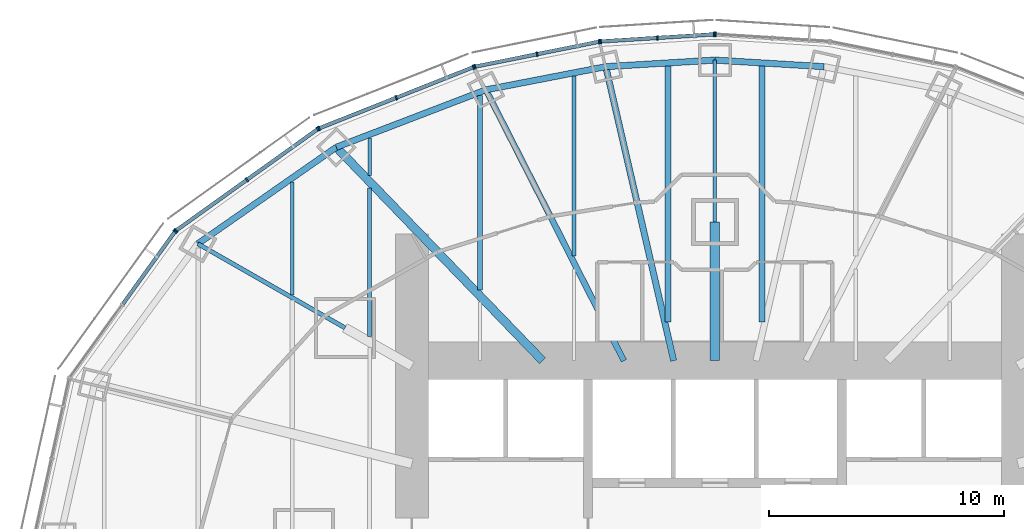
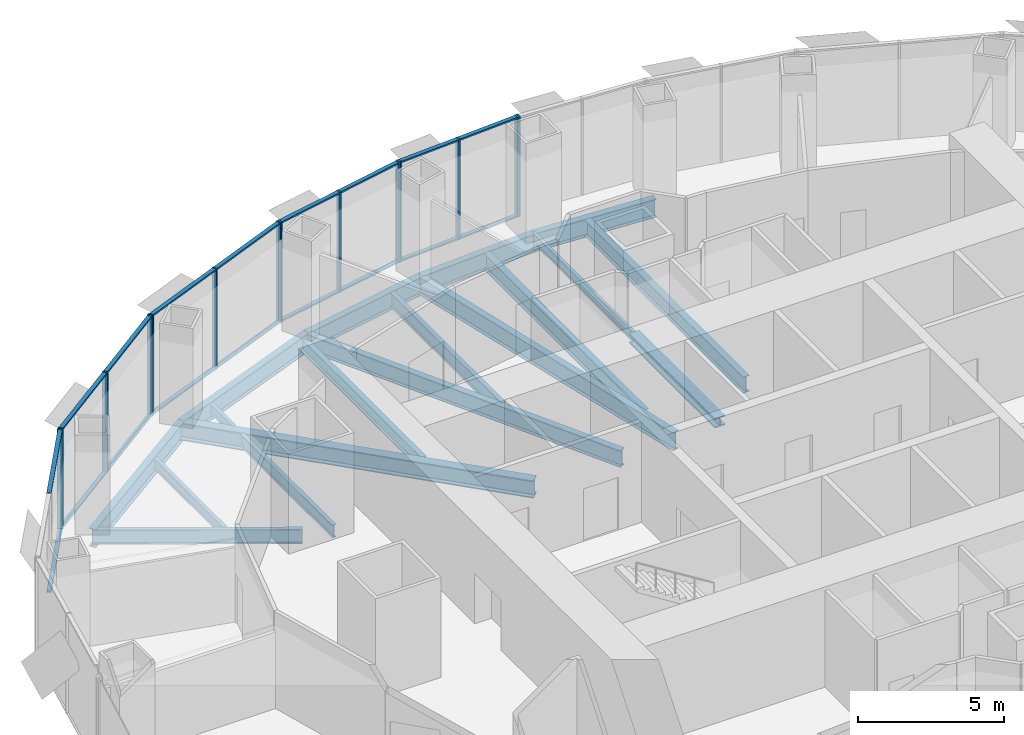
# One storey, part 7 of 18: 32 members, 18 beams, 6 elements without a shape of their own.
"""IFC4 building model written with IfcOpenShell, lengths in metres."""

from ifc_helpers import new_model, si_unit, direction, frame, origin, origin_2d, place, context, subcontext, project, spatial, rectangle, i_section, extrude, material, material_profile, profile_set, type_object, element, aggregate, save


model = new_model("IFC4")

# Units and contexts
model_context = context("Model", 3, precision=1e-05, world=origin(), true_north=direction((0.0, 1.0)))
body_context = subcontext(model_context, "Body", "Model", "MODEL_VIEW")
ifc_project = project(units=[si_unit("LENGTHUNIT", "METRE"), si_unit("AREAUNIT", "SQUARE_METRE"), si_unit("VOLUMEUNIT", "CUBIC_METRE"), si_unit("PLANEANGLEUNIT", "RADIAN"), si_unit("MASSUNIT", "GRAM", prefix="KILO")], contexts=[model_context])

# Site, building, storey
site_placement = place(None, origin())
site = spatial("IfcSite", under=ifc_project, at=site_placement, CompositionType="ELEMENT")
building_placement = place(site_placement, origin())
building = spatial("IfcBuilding", under=site, at=building_placement, Name="Lantaw Convention Tower", CompositionType="ELEMENT")
storey_placement = place(building_placement, frame((0.0, 0.0, 176.199951171875)))
storey = spatial("IfcBuildingStorey", under=building, at=storey_placement, Name="L41", CompositionType="ELEMENT", Elevation=176.199951171875)

# Beams
ifc_material_1 = material(Name="Steel ASTM A992", Category="steel")
ifc_material_profile_1 = material_profile(ifc_material_1, i_section(OverallWidth=0.2666015625, OverallDepth=0.76953125, WebThickness=0.015625, FlangeThickness=0.025390625, FilletRadius=0.0126953125, at=origin_2d()), Name="W30X132")
ifc_profile_set_1 = profile_set([ifc_material_profile_1], Name="Steel ASTM A992")
beam_type_1 = type_object("IfcBeamType", Name="Beam E W30X132", PredefinedType="SPANDREL", material=ifc_profile_set_1)
for number, where, z_axis, x_axis, name in (
    (1, (4.64501953125, 20.1201171875, -0.53466796875), (-0.998190892054, 0.06012439621, 0.0), (-0.06012439621, -0.998190892054, 0.0), "Edge beam 6"),
    (2, (0.0, 20.39990234375, -0.53466796875), (-0.998190892054, -0.06012439621, 0.0), (0.06012439621, -0.998190892054, 0.0), "Edge beam 7"),
):
    element("IfcBeam", number, at=place(storey_placement, frame(where, z_axis=z_axis, x_axis=x_axis)), inside=storey, type_object=beam_type_1, Name=name, PredefinedType="SPANDREL", context=body_context, shape_type="SweptSolid", body=[
        extrude(i_section(OverallWidth=0.2666015625, OverallDepth=0.76953125, WebThickness=0.015625, FlangeThickness=0.025390625, FilletRadius=0.0126953125, at=origin_2d()), origin(), (0.0, 0.0, 1.0), 4.6533203125),
    ])
beam_1_placement = place(storey_placement, frame((-4.64501953125, 20.1201171875, -0.53466796875), z_axis=(-0.981796805654, -0.189934284446, 0.0), x_axis=(0.189934284446, -0.981796805654, 0.0)))
element("IfcBeam", 3, at=beam_1_placement, inside=storey, type_object=beam_type_1, Name="Edge beam 8", PredefinedType="SPANDREL", context=body_context, shape_type="SweptSolid", body=[
    extrude(i_section(OverallWidth=0.2666015625, OverallDepth=0.76953125, WebThickness=0.015625, FlangeThickness=0.025390625, FilletRadius=0.0126953125, at=origin_2d()), origin(), (0.0, 0.0, 1.0), 5.1982421875),
])
beam_2_placement = place(storey_placement, frame((-9.74853515625, 19.1328125, -0.53466796875), z_axis=(-0.933691081977, -0.358079549033, 0.0), x_axis=(0.358079549033, -0.933691081977, 0.0)))
element("IfcBeam", 4, at=beam_2_placement, inside=storey, type_object=beam_type_1, Name="Edge beam 9", PredefinedType="SPANDREL", context=body_context, shape_type="SweptSolid", body=[
    extrude(i_section(OverallWidth=0.2666015625, OverallDepth=0.76953125, WebThickness=0.015625, FlangeThickness=0.025390625, FilletRadius=0.0126953125, at=origin_2d()), origin(), (0.0, 0.0, 1.0), 6.821533203125),
])
beam_3_placement = place(storey_placement, frame((-16.11767578125, 16.690185546875, -0.53466796875), z_axis=(-0.820310765287, -0.57191804339, 0.0), x_axis=(0.57191804339, -0.820310765287, 0.0)))
element("IfcBeam", 5, at=beam_3_placement, inside=storey, type_object=beam_type_1, Name="Edge beam 10", PredefinedType="SPANDREL", context=body_context, shape_type="SweptSolid", body=[
    extrude(i_section(OverallWidth=0.2666015625, OverallDepth=0.76953125, WebThickness=0.015625, FlangeThickness=0.025390625, FilletRadius=0.0126953125, at=origin_2d()), origin(), (0.0, 0.0, 1.0), 7.187744140625),
])
ifc_material_profile_2 = material_profile(ifc_material_1, i_section(OverallWidth=0.140380859375, OverallDepth=0.40380859375, WebThickness=0.007080078125, FlangeThickness=0.01123046875, FilletRadius=0.01025390625, at=origin_2d()), Name="W16X31")
ifc_profile_set_2 = profile_set([ifc_material_profile_2], Name="Steel ASTM A992")
beam_type_2 = type_object("IfcBeamType", Name="Beam G W16X31", PredefinedType="BEAM", material=ifc_profile_set_2)
beam_4_placement = place(storey_placement, frame((0.0, 13.5, -0.351806640625), z_axis=(0.0, 1.0, 0.0), x_axis=(-1.0, 0.0, 0.0)))
element("IfcBeam", 6, at=beam_4_placement, inside=storey, type_object=beam_type_2, Name="Floor girder on ray 7", PredefinedType="BEAM", context=body_context, shape_type="SweptSolid", body=[
    extrude(i_section(OverallWidth=0.140380859375, OverallDepth=0.40380859375, WebThickness=0.007080078125, FlangeThickness=0.01123046875, FilletRadius=0.01025390625, at=origin_2d()), origin(), (0.0, 0.0, 1.0), 6.89990234375),
])
ifc_material_profile_3 = material_profile(ifc_material_1, i_section(OverallWidth=0.177978515625, OverallDepth=0.599365234375, WebThickness=0.010009765625, FlangeThickness=0.012939453125, FilletRadius=0.012939453125, at=origin_2d()), Name="W24X55")
ifc_profile_set_3 = profile_set([ifc_material_profile_3], Name="Steel ASTM A992")
beam_type_3 = type_object("IfcBeamType", Name="Beam G W24X55", PredefinedType="BEAM", material=ifc_profile_set_3)
beam_5_placement = place(storey_placement, frame((-15.75, 9.0, -0.44970703125), z_axis=(-0.868245224608, 0.496135293993, 0.0), x_axis=(-0.496135293993, -0.868245224608, 0.0)))
element("IfcBeam", 7, at=beam_5_placement, inside=storey, type_object=beam_type_3, Name="Floor girder on ray 11", PredefinedType="BEAM", context=body_context, shape_type="SweptSolid", body=[
    extrude(i_section(OverallWidth=0.177978515625, OverallDepth=0.599365234375, WebThickness=0.010009765625, FlangeThickness=0.012939453125, FilletRadius=0.012939453125, at=origin_2d()), origin(), (0.0, 0.0, 1.0), 7.21435546875),
])
ifc_material_profile_4 = material_profile(ifc_material_1, i_section(OverallWidth=0.25390625, OverallDepth=0.700927734375, WebThickness=0.015380859375, FlangeThickness=0.02783203125, FilletRadius=0.01513671875, at=origin_2d()), Name="W27X129")
ifc_profile_set_4 = profile_set([ifc_material_profile_4], Name="Steel ASTM A992")
beam_type_4 = type_object("IfcBeamType", Name="Beam G W27X129", PredefinedType="BEAM", material=ifc_profile_set_4)
beam_6_placement = place(storey_placement, frame((-3.872314453125, 7.60009765625, -0.50048828125), z_axis=(-0.453991051051, 0.891006243281, 0.0), x_axis=(-0.891006243281, -0.453991051051, 0.0)))
element("IfcBeam", 8, at=beam_6_placement, inside=storey, type_object=beam_type_4, Name="Floor girder on ray 9", PredefinedType="BEAM", context=body_context, shape_type="SweptSolid", body=[
    extrude(i_section(OverallWidth=0.25390625, OverallDepth=0.700927734375, WebThickness=0.015380859375, FlangeThickness=0.02783203125, FilletRadius=0.01513671875, at=origin_2d()), origin(), (0.0, 0.0, 1.0), 12.943359375),
])
ifc_material_profile_5 = material_profile(ifc_material_1, i_section(OverallWidth=0.360595703125, OverallDepth=0.72900390625, WebThickness=0.023193359375, FlangeThickness=0.041015625, FilletRadius=0.0126953125, at=origin_2d()), Name="W27X235")
ifc_profile_set_5 = profile_set([ifc_material_profile_5], Name="Steel ASTM A992")
beam_type_5 = type_object("IfcBeamType", Name="Beam G W27X235", PredefinedType="BEAM", material=ifc_profile_set_5)
beam_7_placement = place(storey_placement, frame((-7.33935546875, 7.60009765625, -0.514404296875), z_axis=(-0.694663467407, 0.719334878239, 0.0), x_axis=(-0.719334878239, -0.694663467407, 0.0)))
element("IfcBeam", 9, at=beam_7_placement, inside=storey, type_object=beam_type_5, Name="Floor girder on ray 10", PredefinedType="BEAM", context=body_context, shape_type="SweptSolid", body=[
    extrude(i_section(OverallWidth=0.360595703125, OverallDepth=0.72900390625, WebThickness=0.023193359375, FlangeThickness=0.041015625, FilletRadius=0.0126953125, at=origin_2d()), origin(), (0.0, 0.0, 1.0), 12.63671875),
])
ifc_material_profile_6 = material_profile(ifc_material_1, i_section(OverallWidth=0.2666015625, OverallDepth=0.7568359375, WebThickness=0.013916015625, FlangeThickness=0.019287109375, FilletRadius=0.0126953125, at=origin_2d()), Name="W30X108")
ifc_profile_set_6 = profile_set([ifc_material_profile_6], Name="Steel ASTM A992")
beam_type_6 = type_object("IfcBeamType", Name="Beam G W30X108", PredefinedType="BEAM", material=ifc_profile_set_6)
beam_8_placement = place(storey_placement, frame((-1.754638671875, 7.60009765625, -0.5283203125), z_axis=(-0.224944153104, 0.974371658036, 0.0), x_axis=(-0.974371658036, -0.224944153104, 0.0)))
element("IfcBeam", 10, at=beam_8_placement, inside=storey, type_object=beam_type_6, Name="Floor girder on ray 8", PredefinedType="BEAM", context=body_context, shape_type="SweptSolid", body=[
    extrude(i_section(OverallWidth=0.2666015625, OverallDepth=0.7568359375, WebThickness=0.013916015625, FlangeThickness=0.019287109375, FilletRadius=0.0126953125, at=origin_2d()), origin(), (0.0, 0.0, 1.0), 12.849365234375),
])
ifc_material_profile_7 = material_profile(ifc_material_1, i_section(OverallWidth=0.40380859375, OverallDepth=0.406494140625, WebThickness=0.027099609375, FlangeThickness=0.043701171875, FilletRadius=0.01513671875, at=origin_2d()), Name="W14X233")
ifc_profile_set_7 = profile_set([ifc_material_profile_7], Name="Steel ASTM A992")
beam_type_7 = type_object("IfcBeamType", Name="Beam GM W14X233", PredefinedType="BEAM", material=ifc_profile_set_7)
beam_9_placement = place(storey_placement, frame((0.0, 7.60009765625, -0.353271484375), z_axis=(0.0, 1.0, 0.0), x_axis=(-1.0, 0.0, 0.0)))
element("IfcBeam", 11, at=beam_9_placement, inside=storey, type_object=beam_type_7, Name="Core link beam on ray 7", PredefinedType="BEAM", context=body_context, shape_type="SweptSolid", body=[
    extrude(i_section(OverallWidth=0.40380859375, OverallDepth=0.406494140625, WebThickness=0.027099609375, FlangeThickness=0.043701171875, FilletRadius=0.01513671875, at=origin_2d()), origin(), (0.0, 0.0, 1.0), 5.89990234375),
])
ifc_material_profile_8 = material_profile(ifc_material_1, i_section(OverallWidth=0.140380859375, OverallDepth=0.40380859375, WebThickness=0.007080078125, FlangeThickness=0.01123046875, FilletRadius=0.01025390625, at=origin_2d()), Name="W16X31")
ifc_profile_set_8 = profile_set([ifc_material_profile_8], Name="Steel ASTM A992")
beam_type_8 = type_object("IfcBeamType", Name="Beam J W16X31", PredefinedType="JOIST", material=ifc_profile_set_8)
beam_10_placement = place(storey_placement, frame((-14.699951171875, 15.48193359375, -0.351806640625), z_axis=(0.0, 1.0, 0.0), x_axis=(-1.0, 0.0, 0.0)))
element("IfcBeam", 12, at=beam_10_placement, inside=storey, type_object=beam_type_8, Name="Floor joist", PredefinedType="JOIST", context=body_context, shape_type="SweptSolid", body=[
    extrude(i_section(OverallWidth=0.140380859375, OverallDepth=0.40380859375, WebThickness=0.007080078125, FlangeThickness=0.01123046875, FilletRadius=0.01025390625, at=origin_2d()), origin(), (0.0, 0.0, 1.0), 1.609130859375),
])
ifc_material_profile_9 = material_profile(ifc_material_1, i_section(OverallWidth=0.15234375, OverallDepth=0.449462890625, WebThickness=0.007568359375, FlangeThickness=0.0107421875, FilletRadius=0.01025390625, at=origin_2d()), Name="W18X35")
ifc_profile_set_9 = profile_set([ifc_material_profile_9], Name="Steel ASTM A992")
beam_type_9 = type_object("IfcBeamType", Name="Beam J W18X35", PredefinedType="JOIST", material=ifc_profile_set_9)
beam_11_placement = place(storey_placement, frame((-18.0, 10.38818359375, -0.374755859375), z_axis=(0.0, 1.0, 0.0), x_axis=(-1.0, 0.0, 0.0)))
element("IfcBeam", 13, at=beam_11_placement, inside=storey, type_object=beam_type_9, Name="Floor joist", PredefinedType="JOIST", context=body_context, shape_type="SweptSolid", body=[
    extrude(i_section(OverallWidth=0.15234375, OverallDepth=0.449462890625, WebThickness=0.007568359375, FlangeThickness=0.0107421875, FilletRadius=0.01025390625, at=origin_2d()), origin(), (0.0, 0.0, 1.0), 4.8271484375),
])
ifc_material_profile_10 = material_profile(ifc_material_1, i_section(OverallWidth=0.1650390625, OverallDepth=0.52587890625, WebThickness=0.0087890625, FlangeThickness=0.011474609375, FilletRadius=0.0126953125, at=origin_2d()), Name="W21X44")
ifc_profile_set_10 = profile_set([ifc_material_profile_10], Name="Steel ASTM A992")
beam_type_10 = type_object("IfcBeamType", Name="Beam J W21X44", PredefinedType="JOIST", material=ifc_profile_set_10)
beam_12_placement = place(storey_placement, frame((-14.699951171875, 8.632568359375, -0.412841796875), z_axis=(0.0, 1.0, 0.0), x_axis=(-1.0, 0.0, 0.0)))
element("IfcBeam", 14, at=beam_12_placement, inside=storey, type_object=beam_type_10, Name="Floor joist", PredefinedType="JOIST", context=body_context, shape_type="SweptSolid", body=[
    extrude(i_section(OverallWidth=0.1650390625, OverallDepth=0.52587890625, WebThickness=0.0087890625, FlangeThickness=0.011474609375, FilletRadius=0.0126953125, at=origin_2d()), origin(), (0.0, 0.0, 1.0), 6.330078125),
])
ifc_material_profile_11 = material_profile(ifc_material_1, i_section(OverallWidth=0.2099609375, OverallDepth=0.535888671875, WebThickness=0.010986328125, FlangeThickness=0.017333984375, FilletRadius=0.012939453125, at=origin_2d()), Name="W21X68")
ifc_profile_set_11 = profile_set([ifc_material_profile_11], Name="Steel ASTM A992")
beam_type_11 = type_object("IfcBeamType", Name="Beam J W21X68", PredefinedType="JOIST", material=ifc_profile_set_11)
beam_13_placement = place(storey_placement, frame((-10.0, 10.614990234375, -0.41796875), z_axis=(0.0, 1.0, 0.0), x_axis=(-1.0, 0.0, 0.0)))
element("IfcBeam", 15, at=beam_13_placement, inside=storey, type_object=beam_type_11, Name="Floor joist", PredefinedType="JOIST", context=body_context, shape_type="SweptSolid", body=[
    extrude(i_section(OverallWidth=0.2099609375, OverallDepth=0.535888671875, WebThickness=0.010986328125, FlangeThickness=0.017333984375, FilletRadius=0.012939453125, at=origin_2d()), origin(), (0.0, 0.0, 1.0), 8.278564453125),
])
ifc_material_profile_12 = material_profile(ifc_material_1, i_section(OverallWidth=0.177978515625, OverallDepth=0.599365234375, WebThickness=0.010009765625, FlangeThickness=0.012939453125, FilletRadius=0.012939453125, at=origin_2d()), Name="W24X55")
ifc_profile_set_12 = profile_set([ifc_material_profile_12], Name="Steel ASTM A992")
beam_type_12 = type_object("IfcBeamType", Name="Beam J W24X55", PredefinedType="JOIST", material=ifc_profile_set_12)
beam_14_placement = place(storey_placement, frame((-6.0, 12.055419921875, -0.44970703125), z_axis=(0.0, 1.0, 0.0), x_axis=(-1.0, 0.0, 0.0)))
element("IfcBeam", 16, at=beam_14_placement, inside=storey, type_object=beam_type_12, Name="Floor joist", PredefinedType="JOIST", context=body_context, shape_type="SweptSolid", body=[
    extrude(i_section(OverallWidth=0.177978515625, OverallDepth=0.599365234375, WebThickness=0.010009765625, FlangeThickness=0.012939453125, FilletRadius=0.012939453125, at=origin_2d()), origin(), (0.0, 0.0, 1.0), 7.666748046875),
])
ifc_material_profile_13 = material_profile(ifc_material_1, i_section(OverallWidth=0.25390625, OverallDepth=0.683349609375, WebThickness=0.012451171875, FlangeThickness=0.01904296875, FilletRadius=0.01513671875, at=origin_2d()), Name="W27X94")
ifc_profile_set_13 = profile_set([ifc_material_profile_13], Name="Steel ASTM A992")
beam_type_13 = type_object("IfcBeamType", Name="Beam J W27X94", PredefinedType="JOIST", material=ifc_profile_set_13)
for number, where, z_axis, x_axis, name in (
    (17, (-2.0, 9.255859375, -0.49169921875), (0.0, 1.0, 0.0), (-1.0, 0.0, 0.0), "Floor joist"),
    (18, (2.0, 9.255859375, -0.49169921875), (0.0, 1.0, 0.0), (-1.0, 0.0, 0.0), "Floor joist"),
):
    element("IfcBeam", number, at=place(storey_placement, frame(where, z_axis=z_axis, x_axis=x_axis)), inside=storey, type_object=beam_type_13, Name=name, PredefinedType="JOIST", context=body_context, shape_type="SweptSolid", body=[
        extrude(i_section(OverallWidth=0.25390625, OverallDepth=0.683349609375, WebThickness=0.012451171875, FlangeThickness=0.01904296875, FilletRadius=0.01513671875, at=origin_2d()), origin(), (0.0, 0.0, 1.0), 10.889892578125),
    ])

# Curtain wall, member
ifc_material_2 = material(Name="Aluminium framed curtain wall", Category="aluminium")
curtain_wall_type = type_object("IfcCurtainWallType", Name="Office curtain wall low rise, pale aluminium", PredefinedType="USERDEFINED", material=ifc_material_2)
curtain_wall_1_placement = place(storey_placement, origin())
curtain_wall_1 = element("IfcCurtainWall", 19, at=curtain_wall_1_placement, inside=storey, type_object=curtain_wall_type, Name="Office curtain wall low rise, pale aluminium L41", ObjectType="UNITISED CURTAIN WALL", PredefinedType="USERDEFINED")
ifc_material_3 = material(Name="Aluminium 6063-T6", Category="aluminium")
ifc_material_profile_14 = material_profile(ifc_material_3, rectangle(XDim=0.199951171875, YDim=0.06494140625, at=origin_2d()), Name="CW-O1 mullion 65x200")
ifc_profile_set_14 = profile_set([ifc_material_profile_14], Name="Aluminium 6063-T6")
member_type_1 = type_object("IfcMemberType", Name="CW-O1 mullion 65x200", PredefinedType="MULLION", material=ifc_profile_set_14)
member_1_placement = place(storey_placement, frame((0.032470703125, 21.498046875, -0.14990234375), z_axis=(0.0, 0.0, 1.0), x_axis=(-0.062865059466, -0.998022035978, 0.0)))
member_1 = element("IfcMember", 20, at=member_1_placement, type_object=member_type_1, Name="CW-O1 mullion 3", PredefinedType="MULLION", context=body_context, shape_type="SweptSolid", body=[
    extrude(rectangle(XDim=0.199951171875, YDim=0.06494140625, at=origin_2d()), origin(), (0.0, 0.0, 1.0), 4.199951171875),
])
aggregate(curtain_wall_1, [member_1])

# Curtain wall, members
curtain_wall_2_placement = place(storey_placement, origin())
curtain_wall_2 = element("IfcCurtainWall", 21, at=curtain_wall_2_placement, inside=storey, type_object=curtain_wall_type, Name="Office curtain wall low rise, pale aluminium L41", ObjectType="UNITISED CURTAIN WALL", PredefinedType="USERDEFINED")
member_2_placement = place(storey_placement, frame((-0.032470703125, 21.498046875, -0.14990234375), z_axis=(0.0, 0.0, 1.0), x_axis=(0.062865059466, -0.998022035978, 0.0)))
member_2 = element("IfcMember", 22, at=member_2_placement, type_object=member_type_1, Name="CW-O1 mullion 1", PredefinedType="MULLION", context=body_context, shape_type="SweptSolid", body=[
    extrude(rectangle(XDim=0.199951171875, YDim=0.06494140625, at=origin_2d()), origin(), (0.0, 0.0, 1.0), 4.199951171875),
])
member_3_placement = place(storey_placement, frame((-2.4462890625, 21.345947265625, -0.14990234375), z_axis=(0.0, 0.0, 1.0), x_axis=(0.062865059466, -0.998022035978, 0.0)))
member_3 = element("IfcMember", 23, at=member_3_placement, type_object=member_type_1, Name="CW-O1 mullion 2", PredefinedType="MULLION", context=body_context, shape_type="SweptSolid", body=[
    extrude(rectangle(XDim=0.199951171875, YDim=0.06494140625, at=origin_2d()), origin(), (0.0, 0.0, 1.0), 4.199951171875),
])
member_4_placement = place(storey_placement, frame((-4.860107421875, 21.19384765625, -0.14990234375), z_axis=(0.0, 0.0, 1.0), x_axis=(0.062865059466, -0.998022035978, 0.0)))
member_4 = element("IfcMember", 24, at=member_4_placement, type_object=member_type_1, Name="CW-O1 mullion 3", PredefinedType="MULLION", context=body_context, shape_type="SweptSolid", body=[
    extrude(rectangle(XDim=0.199951171875, YDim=0.06494140625, at=origin_2d()), origin(), (0.0, 0.0, 1.0), 4.199951171875),
])

curtain_wall_3_placement = place(storey_placement, origin())
curtain_wall_3 = element("IfcCurtainWall", 25, at=curtain_wall_3_placement, inside=storey, type_object=curtain_wall_type, Name="Office curtain wall low rise, pale aluminium L41", ObjectType="UNITISED CURTAIN WALL", PredefinedType="USERDEFINED")
member_5_placement = place(storey_placement, frame((-4.92431640625, 21.185302734375, -0.14990234375), z_axis=(0.0, 0.0, 1.0), x_axis=(0.197506809659, -0.980301514912, 0.0)))
member_5 = element("IfcMember", 26, at=member_5_placement, type_object=member_type_1, Name="CW-O1 mullion 1", PredefinedType="MULLION", context=body_context, shape_type="SweptSolid", body=[
    extrude(rectangle(XDim=0.199951171875, YDim=0.06494140625, at=origin_2d()), origin(), (0.0, 0.0, 1.0), 4.199951171875),
])
member_6_placement = place(storey_placement, frame((-7.5703125, 20.65234375, -0.14990234375), z_axis=(0.0, 0.0, 1.0), x_axis=(0.197506809659, -0.980301514912, 0.0)))
member_6 = element("IfcMember", 27, at=member_6_placement, type_object=member_type_1, Name="CW-O1 mullion 2", PredefinedType="MULLION", context=body_context, shape_type="SweptSolid", body=[
    extrude(rectangle(XDim=0.199951171875, YDim=0.06494140625, at=origin_2d()), origin(), (0.0, 0.0, 1.0), 4.199951171875),
])
member_7_placement = place(storey_placement, frame((-10.216064453125, 20.119140625, -0.14990234375), z_axis=(0.0, 0.0, 1.0), x_axis=(0.197506809659, -0.980301514912, 0.0)))
member_7 = element("IfcMember", 28, at=member_7_placement, type_object=member_type_1, Name="CW-O1 mullion 3", PredefinedType="MULLION", context=body_context, shape_type="SweptSolid", body=[
    extrude(rectangle(XDim=0.199951171875, YDim=0.06494140625, at=origin_2d()), origin(), (0.0, 0.0, 1.0), 4.199951171875),
])

curtain_wall_4_placement = place(storey_placement, origin())
curtain_wall_4 = element("IfcCurtainWall", 29, at=curtain_wall_4_placement, inside=storey, type_object=curtain_wall_type, Name="Office curtain wall low rise, pale aluminium L41", ObjectType="UNITISED CURTAIN WALL", PredefinedType="USERDEFINED")
member_8_placement = place(storey_placement, frame((-10.2783203125, 20.100830078125, -0.14990234375), z_axis=(0.0, 0.0, 1.0), x_axis=(0.368701907483, -0.929547687544, 0.0)))
member_8 = element("IfcMember", 30, at=member_8_placement, type_object=member_type_1, Name="CW-O1 mullion 1", PredefinedType="MULLION", context=body_context, shape_type="SweptSolid", body=[
    extrude(rectangle(XDim=0.199951171875, YDim=0.06494140625, at=origin_2d()), origin(), (0.0, 0.0, 1.0), 4.199951171875),
])
member_9_placement = place(storey_placement, frame((-13.56494140625, 18.797119140625, -0.14990234375), z_axis=(0.0, 0.0, 1.0), x_axis=(0.368701907483, -0.929547687544, 0.0)))
member_9 = element("IfcMember", 31, at=member_9_placement, type_object=member_type_1, Name="CW-O1 mullion 2", PredefinedType="MULLION", context=body_context, shape_type="SweptSolid", body=[
    extrude(rectangle(XDim=0.199951171875, YDim=0.06494140625, at=origin_2d()), origin(), (0.0, 0.0, 1.0), 4.199951171875),
])
member_10_placement = place(storey_placement, frame((-16.8515625, 17.49365234375, -0.14990234375), z_axis=(0.0, 0.0, 1.0), x_axis=(0.368701907483, -0.929547687544, 0.0)))
member_10 = element("IfcMember", 32, at=member_10_placement, type_object=member_type_1, Name="CW-O1 mullion 3", PredefinedType="MULLION", context=body_context, shape_type="SweptSolid", body=[
    extrude(rectangle(XDim=0.199951171875, YDim=0.06494140625, at=origin_2d()), origin(), (0.0, 0.0, 1.0), 4.199951171875),
])

curtain_wall_5_placement = place(storey_placement, origin())
curtain_wall_5 = element("IfcCurtainWall", 33, at=curtain_wall_5_placement, inside=storey, type_object=curtain_wall_type, Name="Office curtain wall low rise, pale aluminium L41", ObjectType="UNITISED CURTAIN WALL", PredefinedType="USERDEFINED")
member_11_placement = place(storey_placement, frame((-16.908203125, 17.462646484375, -0.14990234375), z_axis=(0.0, 0.0, 1.0), x_axis=(0.581972695693, -0.813208325995, 0.0)))
member_11 = element("IfcMember", 34, at=member_11_placement, type_object=member_type_1, Name="CW-O1 mullion 1", PredefinedType="MULLION", context=body_context, shape_type="SweptSolid", body=[
    extrude(rectangle(XDim=0.199951171875, YDim=0.06494140625, at=origin_2d()), origin(), (0.0, 0.0, 1.0), 4.199951171875),
])
member_12_placement = place(storey_placement, frame((-19.92529296875, 15.303466796875, -0.14990234375), z_axis=(0.0, 0.0, 1.0), x_axis=(0.581972695693, -0.813208325995, 0.0)))
member_12 = element("IfcMember", 35, at=member_12_placement, type_object=member_type_1, Name="CW-O1 mullion 2", PredefinedType="MULLION", context=body_context, shape_type="SweptSolid", body=[
    extrude(rectangle(XDim=0.199951171875, YDim=0.06494140625, at=origin_2d()), origin(), (0.0, 0.0, 1.0), 4.199951171875),
])
member_13_placement = place(storey_placement, frame((-22.942626953125, 13.14404296875, -0.14990234375), z_axis=(0.0, 0.0, 1.0), x_axis=(0.581972695693, -0.813208325995, 0.0)))
member_13 = element("IfcMember", 36, at=member_13_placement, type_object=member_type_1, Name="CW-O1 mullion 3", PredefinedType="MULLION", context=body_context, shape_type="SweptSolid", body=[
    extrude(rectangle(XDim=0.199951171875, YDim=0.06494140625, at=origin_2d()), origin(), (0.0, 0.0, 1.0), 4.199951171875),
])

# Curtain wall, member
curtain_wall_6_placement = place(storey_placement, origin())
curtain_wall_6 = element("IfcCurtainWall", 37, at=curtain_wall_6_placement, inside=storey, type_object=curtain_wall_type, Name="Office curtain wall low rise, pale aluminium L41", ObjectType="UNITISED CURTAIN WALL", PredefinedType="USERDEFINED")
member_14_placement = place(storey_placement, frame((-22.988037109375, 13.098876953125, -0.14990234375), z_axis=(0.0, 0.0, 1.0), x_axis=(0.811384633629, -0.584512597221, 0.0)))
member_14 = element("IfcMember", 38, at=member_14_placement, type_object=member_type_1, Name="CW-O1 mullion 1", PredefinedType="MULLION", context=body_context, shape_type="SweptSolid", body=[
    extrude(rectangle(XDim=0.199951171875, YDim=0.06494140625, at=origin_2d()), origin(), (0.0, 0.0, 1.0), 4.199951171875),
])

# Member
ifc_material_profile_15 = material_profile(ifc_material_3, rectangle(XDim=0.159912109375, YDim=0.06494140625, at=origin_2d()), Name="CW-O1 transom 65x160")
ifc_profile_set_15 = profile_set([ifc_material_profile_15], Name="Aluminium 6063-T6")
member_type_2 = type_object("IfcMemberType", Name="CW-O1 transom 65x160", PredefinedType="USERDEFINED", material=ifc_profile_set_15)
member_15_placement = place(storey_placement, frame((-0.06494140625, 21.495849609375, -0.117431640625), z_axis=(-0.998022188463, -0.062862638625, 0.0), x_axis=(0.062862638625, -0.998022188463, 0.0)))
member_15 = element("IfcMember", 39, at=member_15_placement, type_object=member_type_2, Name="CW-O1 transom 1.1", ObjectType="TRANSOM", PredefinedType="USERDEFINED", context=body_context, shape_type="SweptSolid", body=[
    extrude(rectangle(XDim=0.159912109375, YDim=0.06494140625, at=origin_2d()), origin(), (0.0, 0.0, 1.0), 2.353515625),
])

member_16_placement = place(storey_placement, frame((-0.06494140625, 21.495849609375, 4.017578125), z_axis=(-0.998022188463, -0.062862638625, 0.0), x_axis=(0.062862638625, -0.998022188463, 0.0)))
member_16 = element("IfcMember", 40, at=member_16_placement, type_object=member_type_2, Name="CW-O1 transom 1.2", ObjectType="TRANSOM", PredefinedType="USERDEFINED", context=body_context, shape_type="SweptSolid", body=[
    extrude(rectangle(XDim=0.159912109375, YDim=0.06494140625, at=origin_2d()), origin(), (0.0, 0.0, 1.0), 2.353515625),
])

member_17_placement = place(storey_placement, frame((-2.478759765625, 21.34375, -0.117431640625), z_axis=(-0.998022188463, -0.062862638625, 0.0), x_axis=(0.062862638625, -0.998022188463, 0.0)))
member_17 = element("IfcMember", 41, at=member_17_placement, type_object=member_type_2, Name="CW-O1 transom 2.1", ObjectType="TRANSOM", PredefinedType="USERDEFINED", context=body_context, shape_type="SweptSolid", body=[
    extrude(rectangle(XDim=0.159912109375, YDim=0.06494140625, at=origin_2d()), origin(), (0.0, 0.0, 1.0), 2.353515625),
])

member_18_placement = place(storey_placement, frame((-2.478759765625, 21.34375, 4.017578125), z_axis=(-0.998022188463, -0.062862638625, 0.0), x_axis=(0.062862638625, -0.998022188463, 0.0)))
member_18 = element("IfcMember", 42, at=member_18_placement, type_object=member_type_2, Name="CW-O1 transom 2.2", ObjectType="TRANSOM", PredefinedType="USERDEFINED", context=body_context, shape_type="SweptSolid", body=[
    extrude(rectangle(XDim=0.159912109375, YDim=0.06494140625, at=origin_2d()), origin(), (0.0, 0.0, 1.0), 2.353515625),
])

aggregate(curtain_wall_2, [member_2, member_3, member_4, member_15, member_16, member_17, member_18])

member_19_placement = place(storey_placement, frame((-4.956298828125, 21.178955078125, -0.117431640625), z_axis=(-0.980298027092, -0.197524120247, 0.0), x_axis=(0.197524120247, -0.980298027092, 0.0)))
member_19 = element("IfcMember", 43, at=member_19_placement, type_object=member_type_2, Name="CW-O1 transom 1.1", ObjectType="TRANSOM", PredefinedType="USERDEFINED", context=body_context, shape_type="SweptSolid", body=[
    extrude(rectangle(XDim=0.159912109375, YDim=0.06494140625, at=origin_2d()), origin(), (0.0, 0.0, 1.0), 2.634033203125),
])

member_20_placement = place(storey_placement, frame((-4.956298828125, 21.178955078125, 4.017578125), z_axis=(-0.980298027092, -0.197524120247, 0.0), x_axis=(0.197524120247, -0.980298027092, 0.0)))
member_20 = element("IfcMember", 44, at=member_20_placement, type_object=member_type_2, Name="CW-O1 transom 1.2", ObjectType="TRANSOM", PredefinedType="USERDEFINED", context=body_context, shape_type="SweptSolid", body=[
    extrude(rectangle(XDim=0.159912109375, YDim=0.06494140625, at=origin_2d()), origin(), (0.0, 0.0, 1.0), 2.634033203125),
])

member_21_placement = place(storey_placement, frame((-7.60205078125, 20.64599609375, -0.117431640625), z_axis=(-0.980301643003, -0.197506173891, 0.0), x_axis=(0.197506173891, -0.980301643003, 0.0)))
member_21 = element("IfcMember", 45, at=member_21_placement, type_object=member_type_2, Name="CW-O1 transom 2.1", ObjectType="TRANSOM", PredefinedType="USERDEFINED", context=body_context, shape_type="SweptSolid", body=[
    extrude(rectangle(XDim=0.159912109375, YDim=0.06494140625, at=origin_2d()), origin(), (0.0, 0.0, 1.0), 2.63427734375),
])

member_22_placement = place(storey_placement, frame((-7.60205078125, 20.64599609375, 4.017578125), z_axis=(-0.980301643003, -0.197506173891, 0.0), x_axis=(0.197506173891, -0.980301643003, 0.0)))
member_22 = element("IfcMember", 46, at=member_22_placement, type_object=member_type_2, Name="CW-O1 transom 2.2", ObjectType="TRANSOM", PredefinedType="USERDEFINED", context=body_context, shape_type="SweptSolid", body=[
    extrude(rectangle(XDim=0.159912109375, YDim=0.06494140625, at=origin_2d()), origin(), (0.0, 0.0, 1.0), 2.63427734375),
])

aggregate(curtain_wall_3, [member_5, member_6, member_7, member_19, member_20, member_21, member_22])

member_23_placement = place(storey_placement, frame((-10.308349609375, 20.0888671875, -0.117431640625), z_axis=(-0.929540081544, -0.368721082668, 0.0), x_axis=(0.368721082668, -0.929540081544, 0.0)))
member_23 = element("IfcMember", 47, at=member_23_placement, type_object=member_type_2, Name="CW-O1 transom 1.1", ObjectType="TRANSOM", PredefinedType="USERDEFINED", context=body_context, shape_type="SweptSolid", body=[
    extrude(rectangle(XDim=0.159912109375, YDim=0.06494140625, at=origin_2d()), origin(), (0.0, 0.0, 1.0), 3.470947265625),
])

member_24_placement = place(storey_placement, frame((-10.308349609375, 20.0888671875, 4.017578125), z_axis=(-0.929540081544, -0.368721082668, 0.0), x_axis=(0.368721082668, -0.929540081544, 0.0)))
member_24 = element("IfcMember", 48, at=member_24_placement, type_object=member_type_2, Name="CW-O1 transom 1.2", ObjectType="TRANSOM", PredefinedType="USERDEFINED", context=body_context, shape_type="SweptSolid", body=[
    extrude(rectangle(XDim=0.159912109375, YDim=0.06494140625, at=origin_2d()), origin(), (0.0, 0.0, 1.0), 3.470947265625),
])

member_25_placement = place(storey_placement, frame((-13.594970703125, 18.78515625, -0.117431640625), z_axis=(-0.929564188507, -0.368660303592, 0.0), x_axis=(0.368660303592, -0.929564188507, 0.0)))
member_25 = element("IfcMember", 49, at=member_25_placement, type_object=member_type_2, Name="CW-O1 transom 2.1", ObjectType="TRANSOM", PredefinedType="USERDEFINED", context=body_context, shape_type="SweptSolid", body=[
    extrude(rectangle(XDim=0.159912109375, YDim=0.06494140625, at=origin_2d()), origin(), (0.0, 0.0, 1.0), 3.470703125),
])

member_26_placement = place(storey_placement, frame((-13.594970703125, 18.78515625, 4.017578125), z_axis=(-0.929564188507, -0.368660303592, 0.0), x_axis=(0.368660303592, -0.929564188507, 0.0)))
member_26 = element("IfcMember", 50, at=member_26_placement, type_object=member_type_2, Name="CW-O1 transom 2.2", ObjectType="TRANSOM", PredefinedType="USERDEFINED", context=body_context, shape_type="SweptSolid", body=[
    extrude(rectangle(XDim=0.159912109375, YDim=0.06494140625, at=origin_2d()), origin(), (0.0, 0.0, 1.0), 3.470703125),
])

aggregate(curtain_wall_4, [member_8, member_9, member_10, member_23, member_24, member_25, member_26])

member_27_placement = place(storey_placement, frame((-16.9345703125, 17.44384765625, -0.117431640625), z_axis=(-0.813190089133, -0.581998177777, 0.0), x_axis=(0.581998177777, -0.813190089133, 0.0)))
member_27 = element("IfcMember", 51, at=member_27_placement, type_object=member_type_2, Name="CW-O1 transom 1.1", ObjectType="TRANSOM", PredefinedType="USERDEFINED", context=body_context, shape_type="SweptSolid", body=[
    extrude(rectangle(XDim=0.159912109375, YDim=0.06494140625, at=origin_2d()), origin(), (0.0, 0.0, 1.0), 3.645263671875),
])

member_28_placement = place(storey_placement, frame((-16.9345703125, 17.44384765625, 4.017578125), z_axis=(-0.813190089133, -0.581998177777, 0.0), x_axis=(0.581998177777, -0.813190089133, 0.0)))
member_28 = element("IfcMember", 52, at=member_28_placement, type_object=member_type_2, Name="CW-O1 transom 1.2", ObjectType="TRANSOM", PredefinedType="USERDEFINED", context=body_context, shape_type="SweptSolid", body=[
    extrude(rectangle(XDim=0.159912109375, YDim=0.06494140625, at=origin_2d()), origin(), (0.0, 0.0, 1.0), 3.645263671875),
])

member_29_placement = place(storey_placement, frame((-19.951904296875, 15.284423828125, -0.117431640625), z_axis=(-0.813221785972, -0.581953887194, 0.0), x_axis=(0.581953887194, -0.813221785972, 0.0)))
member_29 = element("IfcMember", 53, at=member_29_placement, type_object=member_type_2, Name="CW-O1 transom 2.1", ObjectType="TRANSOM", PredefinedType="USERDEFINED", context=body_context, shape_type="SweptSolid", body=[
    extrude(rectangle(XDim=0.159912109375, YDim=0.06494140625, at=origin_2d()), origin(), (0.0, 0.0, 1.0), 3.645263671875),
])

member_30_placement = place(storey_placement, frame((-19.951904296875, 15.284423828125, 4.017578125), z_axis=(-0.813221785972, -0.581953887194, 0.0), x_axis=(0.581953887194, -0.813221785972, 0.0)))
member_30 = element("IfcMember", 54, at=member_30_placement, type_object=member_type_2, Name="CW-O1 transom 2.2", ObjectType="TRANSOM", PredefinedType="USERDEFINED", context=body_context, shape_type="SweptSolid", body=[
    extrude(rectangle(XDim=0.159912109375, YDim=0.06494140625, at=origin_2d()), origin(), (0.0, 0.0, 1.0), 3.645263671875),
])

aggregate(curtain_wall_5, [member_11, member_12, member_13, member_27, member_28, member_29, member_30])

member_31_placement = place(storey_placement, frame((-23.007080078125, 13.072509765625, -0.117431640625), z_axis=(-0.584512973979, -0.811384362217, 0.0), x_axis=(0.811384362217, -0.584512973979, 0.0)))
member_31 = element("IfcMember", 55, at=member_31_placement, type_object=member_type_2, Name="CW-O1 transom 1.1", ObjectType="TRANSOM", PredefinedType="USERDEFINED", context=body_context, shape_type="SweptSolid", body=[
    extrude(rectangle(XDim=0.159912109375, YDim=0.06494140625, at=origin_2d()), origin(), (0.0, 0.0, 1.0), 3.767578125),
])

member_32_placement = place(storey_placement, frame((-23.007080078125, 13.072509765625, 4.017578125), z_axis=(-0.584512973979, -0.811384362217, 0.0), x_axis=(0.811384362217, -0.584512973979, 0.0)))
member_32 = element("IfcMember", 56, at=member_32_placement, type_object=member_type_2, Name="CW-O1 transom 1.2", ObjectType="TRANSOM", PredefinedType="USERDEFINED", context=body_context, shape_type="SweptSolid", body=[
    extrude(rectangle(XDim=0.159912109375, YDim=0.06494140625, at=origin_2d()), origin(), (0.0, 0.0, 1.0), 3.767578125),
])

aggregate(curtain_wall_6, [member_14, member_31, member_32])

save(model, "model.ifc")
